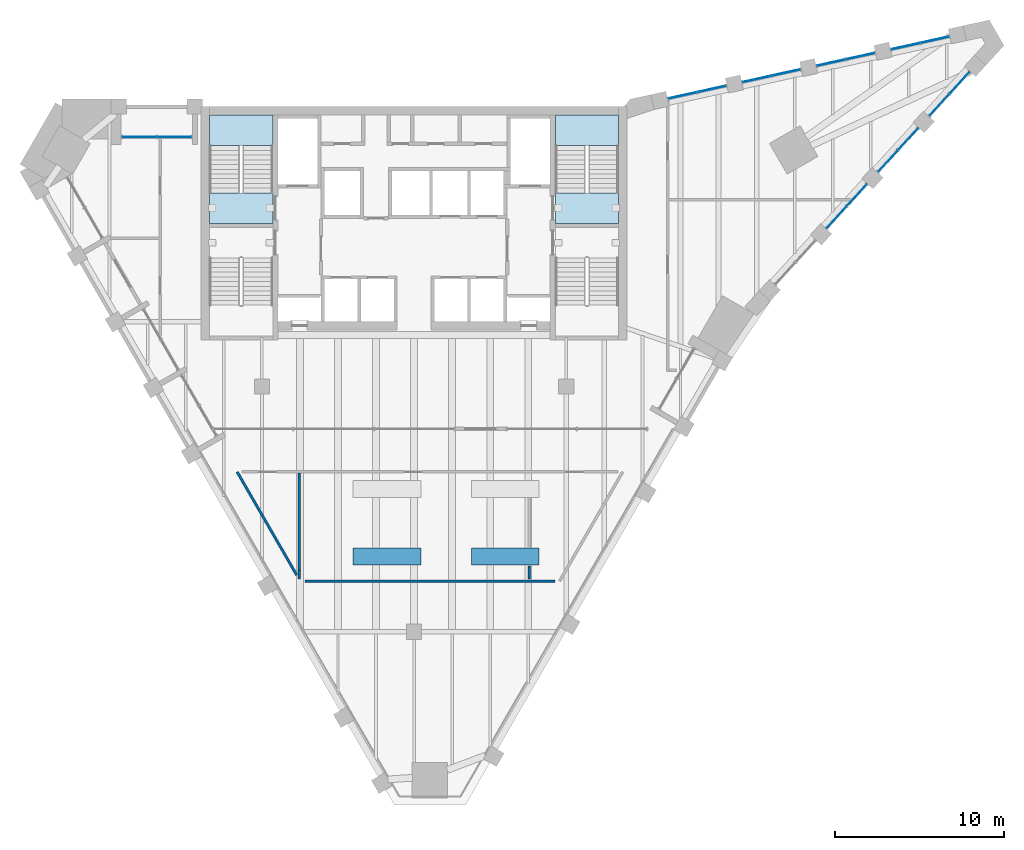
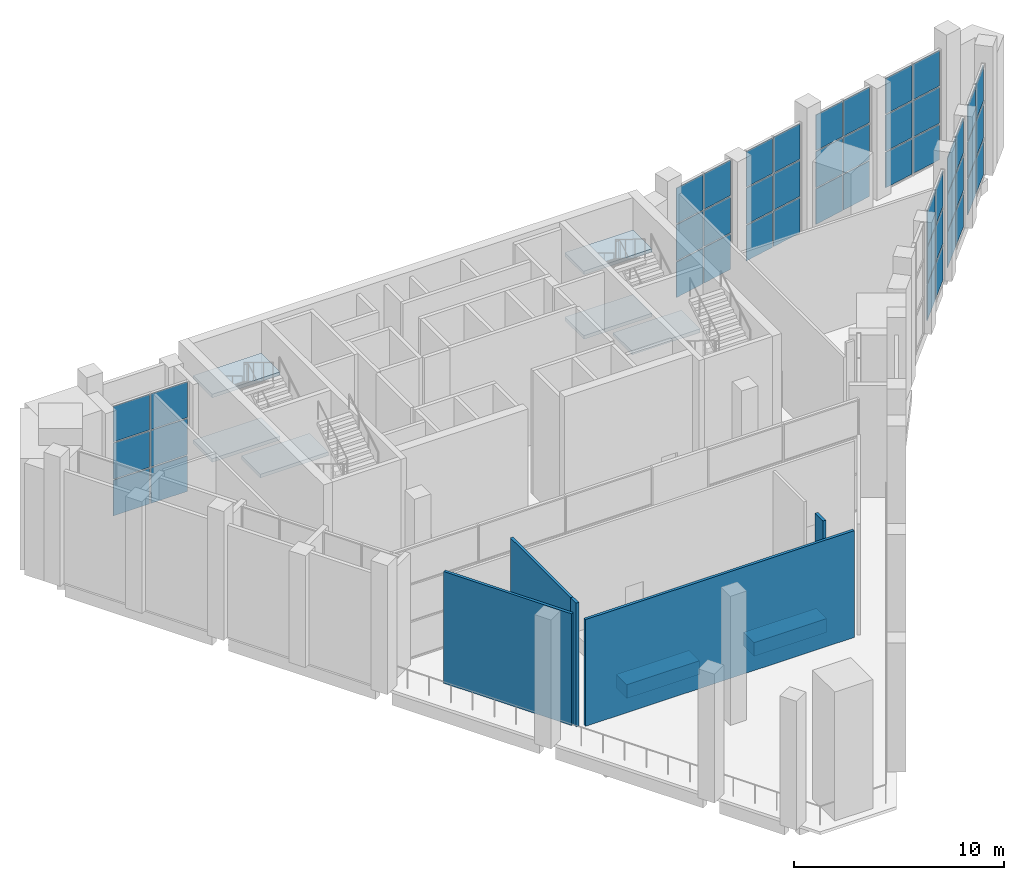
# One storey, part 8 of 14: 48 plates, 7 walls, 6 slabs, 10 elements without a shape of their own.
"""IFC4 building model written with IfcOpenShell, lengths in metres."""

import ifcopenshell
import ifcopenshell.guid

model = None  # the IFC model being written
_history = None  # IfcOwnerHistory: only IFC2X3 demands one
_inside = {}  # id of a spatial element -> (the spatial element, [elements in it])
_under = {}  # id of a project, library or spatial element -> (it, [spatial elements below it])
_declared = {}  # id of a project -> (the project, [libraries it declares])
_typed = {}  # id of a type object -> (the type object, [elements of that type])
_made_of = {}  # id of a material, layer set ... -> (it, [elements and type objects made of it])


def new_model(schema):
    """Start an empty IFC model of exactly this schema.

    Asked for "IFC4X3", IfcOpenShell would pick the latest addendum, in which some entities
    have other attributes; the version numbers below select the first issue.
    IFC2X3 requires an IfcOwnerHistory on every rooted entity: one is made here for all.
    """
    global model, _history
    if schema == "IFC4X3":
        model = ifcopenshell.file(schema_version=(4, 3, 0, 0))
    else:
        model = ifcopenshell.file(schema=schema)
    _inside.clear()
    _under.clear()
    _declared.clear()
    _typed.clear()
    _made_of.clear()
    _history = None
    if model.schema == "IFC2X3":
        org = make("IfcOrganization", Name="unknown")
        user = make(
            "IfcPersonAndOrganization",
            ThePerson=make("IfcPerson", FamilyName="unknown"),
            TheOrganization=org,
        )
        app = make(
            "IfcApplication",
            ApplicationDeveloper=org,
            Version="unknown",
            ApplicationFullName="unknown",
            ApplicationIdentifier="unknown",
        )
        _history = make(
            "IfcOwnerHistory",
            OwningUser=user,
            OwningApplication=app,
            ChangeAction="ADDED",
            CreationDate=0,
        )
    return model


def make(cls, **values):
    """One entity of the class cls with the attributes given. An attribute that is None is left unset."""
    return model.create_entity(
        cls, **{name: value for name, value in values.items() if value is not None}
    )


def rooted(cls, **values):
    """An entity with a GlobalId (a new one), such as an element, a storey or a relation."""
    return make(cls, GlobalId=ifcopenshell.guid.new(), OwnerHistory=_history, **values)


def si_unit(unit_type, name, prefix=None):
    """IfcSIUnit, for example si_unit("LENGTHUNIT", "METRE", prefix="MILLI")."""
    return make("IfcSIUnit", UnitType=unit_type, Prefix=prefix, Name=name)


def assignment(units):
    """IfcUnitAssignment: the units of a project."""
    return None if units is None else make("IfcUnitAssignment", Units=units)


def point(xyz):
    """IfcCartesianPoint."""
    return None if xyz is None else make("IfcCartesianPoint", Coordinates=xyz)


def direction(xyz):
    """IfcDirection."""
    return None if xyz is None else make("IfcDirection", DirectionRatios=xyz)


def frame(location, z_axis=None, x_axis=None):
    """IfcAxis2Placement3D, a coordinate frame: its origin and axes. An axis left out is left unset."""
    return make(
        "IfcAxis2Placement3D",
        Location=point(location),
        Axis=direction(z_axis),
        RefDirection=direction(x_axis),
    )


def frame_2d(location, x_axis=None):
    """IfcAxis2Placement2D, a coordinate frame in the plane: its origin and x axis."""
    return make(
        "IfcAxis2Placement2D", Location=point(location), RefDirection=direction(x_axis)
    )


def origin():
    """The frame at (0, 0, 0) with its axes left unset."""
    return frame((0.0, 0.0, 0.0))


def origin_2d():
    """The frame at (0, 0) in the plane with its x axis left unset."""
    return frame_2d((0.0, 0.0))


def place(relative_to, where):
    """IfcLocalPlacement: puts the frame where relative to a parent placement (None: the world)."""
    return make(
        "IfcLocalPlacement", PlacementRelTo=relative_to, RelativePlacement=where
    )


def context(
    kind, dimensions, precision=None, world=None, true_north=None, identifier=None
):
    """IfcGeometricRepresentationContext, for example the 3D "Model" context."""
    return make(
        "IfcGeometricRepresentationContext",
        ContextIdentifier=identifier,
        ContextType=kind,
        CoordinateSpaceDimension=dimensions,
        Precision=precision,
        WorldCoordinateSystem=world,
        TrueNorth=true_north,
    )


def subcontext(parent, identifier, kind, view, scale=None):
    """IfcGeometricRepresentationSubContext, for example "Body" below "Model"."""
    return make(
        "IfcGeometricRepresentationSubContext",
        ContextIdentifier=identifier,
        ContextType=kind,
        ParentContext=parent,
        TargetScale=scale,
        TargetView=view,
    )


def project(units=None, contexts=None):
    """IfcProject with its units and contexts."""
    return rooted(
        "IfcProject",
        Name="project",
        RepresentationContexts=contexts,
        UnitsInContext=assignment(units),
    )


def spatial(cls, under=None, at=None, **own):
    """A site, building, storey or space (cls), placed at a placement, below another one or the project."""
    s = rooted(cls, ObjectPlacement=at, **own)
    if under is not None:
        _under.setdefault(under.id(), (under, []))[1].append(s)
    return s


def polyline(points):
    """IfcPolyline through the points."""
    return make("IfcPolyline", Points=[point(p) for p in points])


def profile(cls, at=None, kind="AREA", **sizes):
    """A parametric profile (cls). Its sizes go by their IFC names, for example OverallWidth=200.0."""
    return make(cls, ProfileType=kind, Position=at, **sizes)


def rectangle(**sizes):
    """IfcRectangleProfileDef."""
    return profile("IfcRectangleProfileDef", **sizes)


def outline(outer, holes=None, kind="AREA"):
    """IfcArbitraryClosedProfileDef: a profile drawn as a closed curve; with holes, ...WithVoids."""
    if holes is None:
        return make("IfcArbitraryClosedProfileDef", ProfileType=kind, OuterCurve=outer)
    return make(
        "IfcArbitraryProfileDefWithVoids",
        ProfileType=kind,
        OuterCurve=outer,
        InnerCurves=holes,
    )


def extrude(swept, where, along, depth):
    """IfcExtrudedAreaSolid: the profile swept, set in the frame where, extruded along a direction by depth."""
    return make(
        "IfcExtrudedAreaSolid",
        SweptArea=swept,
        Position=where,
        ExtrudedDirection=direction(along),
        Depth=depth,
    )


def shape(context_of_items, identifier, shape_type, items):
    """IfcShapeRepresentation: the items that make up one representation, for example the "Body"."""
    return make(
        "IfcShapeRepresentation",
        ContextOfItems=context_of_items,
        RepresentationIdentifier=identifier,
        RepresentationType=shape_type,
        Items=items,
    )


def material(Name=None, Category=None):
    """IfcMaterial."""
    return make("IfcMaterial", Name=Name, Category=Category)


def layer(
    of_material, thickness, ventilated=None, Name=None, Category=None, Priority=None
):
    """IfcMaterialLayer: one layer of a wall or slab, of a material (None: an air gap)."""
    return make(
        "IfcMaterialLayer",
        Material=of_material,
        LayerThickness=thickness,
        IsVentilated=ventilated,
        Name=Name,
        Category=Category,
        Priority=Priority,
    )


def layer_set(layers, Name=None):
    """IfcMaterialLayerSet."""
    return make("IfcMaterialLayerSet", MaterialLayers=layers, LayerSetName=Name)


def made_of(thing, what):
    """Note that an element or type object is made of a material, layer set ...; save() writes the relation."""
    if what is not None:
        _made_of.setdefault(what.id(), (what, []))[1].append(thing)
    return thing


def type_object(cls, material=None, **own):
    """A type object (cls), such as IfcWallType, which elements share."""
    return made_of(rooted(cls, **own), material)


def element(
    cls,
    number,
    at=None,
    inside=None,
    cuts=None,
    type_object=None,
    material=None,
    context=None,
    identifier="Body",
    shape_type=None,
    held_by="IfcProductDefinitionShape",
    body=None,
    shapes=None,
    **own,
):
    """One element of the class cls, such as IfcWall. Its Tag is "e" and its number.

    at: its placement. inside: the storey or other place that contains it. cuts: it is an
    opening in that element (IfcRelVoidsElement). A single representation is given by context,
    identifier, shape_type and body (its items); several are given by shapes. held_by: the class
    of the entity that holds the representations. save() writes the other relations.
    """
    e = rooted(cls, Tag="e%d" % number, ObjectPlacement=at, **own)
    if body is not None:
        shapes = [shape(context, identifier, shape_type, body)]
    if shapes is not None:
        e.Representation = make(held_by, Representations=shapes)
    if inside is not None:
        _inside.setdefault(inside.id(), (inside, []))[1].append(e)
    if cuts is not None:
        rooted(
            "IfcRelVoidsElement", RelatingBuildingElement=cuts, RelatedOpeningElement=e
        )
    if type_object is not None:
        _typed.setdefault(type_object.id(), (type_object, []))[1].append(e)
    return made_of(e, material)


def aggregate(whole, parts):
    """IfcRelAggregates: a whole, such as a stair, and the parts it consists of."""
    return rooted("IfcRelAggregates", RelatingObject=whole, RelatedObjects=parts)


def save(model, path):
    """Write the relations noted so far, then the file.

    IfcRelAggregates (storeys below a building ...), IfcRelContainedInSpatialStructure (elements
    in a storey), IfcRelDefinesByType, IfcRelAssociatesMaterial and IfcRelDeclares: one each for
    every whole, place, type object, material and project.
    """
    for whole, parts in _under.values():
        aggregate(whole, parts)
    for where, things in _inside.values():
        rooted(
            "IfcRelContainedInSpatialStructure",
            RelatedElements=things,
            RelatingStructure=where,
        )
    for kind, things in _typed.values():
        rooted("IfcRelDefinesByType", RelatedObjects=things, RelatingType=kind)
    for what, things in _made_of.values():
        rooted("IfcRelAssociatesMaterial", RelatedObjects=things, RelatingMaterial=what)
    for by, libraries in _declared.values():
        rooted("IfcRelDeclares", RelatingContext=by, RelatedDefinitions=libraries)
    model.write(path)


model = new_model("IFC4")

# Units and contexts
model_context = context("Model", 3, precision=1e-05, world=origin(), true_north=direction((0.0, 1.0)))
body_context = subcontext(model_context, "Body", "Model", "MODEL_VIEW")
ifc_project = project(units=[si_unit("LENGTHUNIT", "METRE"), si_unit("AREAUNIT", "SQUARE_METRE"), si_unit("VOLUMEUNIT", "CUBIC_METRE"), si_unit("PLANEANGLEUNIT", "RADIAN"), si_unit("MASSUNIT", "GRAM", prefix="KILO")], contexts=[model_context])

# Site, building, storey
site_placement = place(None, origin())
site = spatial("IfcSite", under=ifc_project, at=site_placement, CompositionType="ELEMENT")
building_placement = place(site_placement, origin())
building = spatial("IfcBuilding", under=site, at=building_placement, Name="Calabash Gate Tower", CompositionType="ELEMENT")
storey_placement = place(building_placement, frame((0.0, 0.0, 295.0)))
storey = spatial("IfcBuildingStorey", under=building, at=storey_placement, Name="L71", CompositionType="ELEMENT", Elevation=295.0)

# Curtain wall, plates
ifc_material_1 = material(Name="Anodised aluminium frame, bronze finish, clear laminated low-emissivity glazing", Category="aluminium")
curtain_wall_type_1 = type_object("IfcCurtainWallType", Name="Curtain wall CWS sky lobby wall", PredefinedType="NOTDEFINED", material=ifc_material_1)
curtain_wall_1_placement = place(storey_placement, origin())
curtain_wall_1 = element("IfcCurtainWall", 1, at=curtain_wall_1_placement, inside=storey, type_object=curtain_wall_type_1, Name="Curtain wall CWS L71 N6.6", PredefinedType="NOTDEFINED")
ifc_material_2 = material(Name="Clear laminated low-emissivity glazing", Category="glass")
ifc_layer_1 = layer(ifc_material_2, 0.035888671875)
ifc_layer_set_1 = layer_set([ifc_layer_1], Name="Glass panel CWS 36")
plate_type_1 = type_object("IfcPlateType", Name="Glass panel CWS 36", PredefinedType="CURTAIN_PANEL", material=ifc_layer_set_1)
plate_1_placement = place(storey_placement, frame((-14.181884765625, 17.25244140625, 0.06494140625), z_axis=(0.0, 0.0, 1.0), x_axis=(-1.0, 0.0, 0.0)))
plate_1 = element("IfcPlate", 2, at=plate_1_placement, type_object=plate_type_1, Name="CWS panel 1.1", PredefinedType="CURTAIN_PANEL", context=body_context, shape_type="SweptSolid", body=[
    extrude(rectangle(XDim=2.00244140625, YDim=0.035888671875, at=origin_2d()), origin(), (0.0, 0.0, 1.0), 2.069091796875),
])
plate_2_placement = place(storey_placement, frame((-14.181884765625, 17.25244140625, 2.19921875), z_axis=(0.0, 0.0, 1.0), x_axis=(-1.0, 0.0, 0.0)))
plate_2 = element("IfcPlate", 3, at=plate_2_placement, type_object=plate_type_1, Name="CWS panel 1.2", PredefinedType="CURTAIN_PANEL", context=body_context, shape_type="SweptSolid", body=[
    extrude(rectangle(XDim=2.00244140625, YDim=0.035888671875, at=origin_2d()), origin(), (0.0, 0.0, 1.0), 2.1015625),
])
plate_3_placement = place(storey_placement, frame((-14.181884765625, 17.25244140625, 4.36572265625), z_axis=(0.0, 0.0, 1.0), x_axis=(-1.0, 0.0, 0.0)))
plate_3 = element("IfcPlate", 4, at=plate_3_placement, type_object=plate_type_1, Name="CWS panel 1.3", PredefinedType="CURTAIN_PANEL", context=body_context, shape_type="SweptSolid", body=[
    extrude(rectangle(XDim=2.00244140625, YDim=0.035888671875, at=origin_2d()), origin(), (0.0, 0.0, 1.0), 2.069091796875),
])
plate_4_placement = place(storey_placement, frame((-16.24951171875, 17.25244140625, 0.06494140625), z_axis=(0.0, 0.0, 1.0), x_axis=(-1.0, 0.0, 0.0)))
plate_4 = element("IfcPlate", 5, at=plate_4_placement, type_object=plate_type_1, Name="CWS panel 2.1", PredefinedType="CURTAIN_PANEL", context=body_context, shape_type="SweptSolid", body=[
    extrude(rectangle(XDim=2.00244140625, YDim=0.035888671875, at=origin_2d()), origin(), (0.0, 0.0, 1.0), 2.069091796875),
])
plate_5_placement = place(storey_placement, frame((-16.24951171875, 17.25244140625, 2.19921875), z_axis=(0.0, 0.0, 1.0), x_axis=(-1.0, 0.0, 0.0)))
plate_5 = element("IfcPlate", 6, at=plate_5_placement, type_object=plate_type_1, Name="CWS panel 2.2", PredefinedType="CURTAIN_PANEL", context=body_context, shape_type="SweptSolid", body=[
    extrude(rectangle(XDim=2.00244140625, YDim=0.035888671875, at=origin_2d()), origin(), (0.0, 0.0, 1.0), 2.1015625),
])
plate_6_placement = place(storey_placement, frame((-16.24951171875, 17.25244140625, 4.36572265625), z_axis=(0.0, 0.0, 1.0), x_axis=(-1.0, 0.0, 0.0)))
plate_6 = element("IfcPlate", 7, at=plate_6_placement, type_object=plate_type_1, Name="CWS panel 2.3", PredefinedType="CURTAIN_PANEL", context=body_context, shape_type="SweptSolid", body=[
    extrude(rectangle(XDim=2.00244140625, YDim=0.035888671875, at=origin_2d()), origin(), (0.0, 0.0, 1.0), 2.069091796875),
])
aggregate(curtain_wall_1, [plate_1, plate_2, plate_3, plate_4, plate_5, plate_6])

ifc_material_3 = material(Name="Anodised aluminium frame, bronze finish, clear laminated impact-rated glazing", Category="aluminium")
curtain_wall_type_2 = type_object("IfcCurtainWallType", Name="Curtain wall CWW wedge prow wall", PredefinedType="NOTDEFINED", material=ifc_material_3)
curtain_wall_2_placement = place(storey_placement, origin())
curtain_wall_2 = element("IfcCurtainWall", 8, at=curtain_wall_2_placement, inside=storey, type_object=curtain_wall_type_2, Name="Curtain wall CWW L71 wedge3.2", PredefinedType="NOTDEFINED")
ifc_material_4 = material(Name="Clear laminated impact-rated glazing", Category="glass")
ifc_layer_2 = layer(ifc_material_4, 0.0400390625)
ifc_layer_set_2 = layer_set([ifc_layer_2], Name="Glass panel CWW 40")
plate_type_2 = type_object("IfcPlateType", Name="Glass panel CWW 40", PredefinedType="CURTAIN_PANEL", material=ifc_layer_set_2)
plate_7_placement = place(storey_placement, frame((24.990234375, 12.5146484375, 0.06982421875), z_axis=(0.0, 0.0, 1.0), x_axis=(0.674856059397, 0.737949387896, 0.0)))
plate_7 = element("IfcPlate", 9, at=plate_7_placement, type_object=plate_type_2, Name="CWW panel 1.1", PredefinedType="CURTAIN_PANEL", context=body_context, shape_type="SweptSolid", body=[
    extrude(rectangle(XDim=1.695068359375, YDim=0.0400390625, at=origin_2d()), origin(), (0.0, 0.0, 1.0), 2.061767578125),
])
plate_8_placement = place(storey_placement, frame((24.990234375, 12.5146484375, 2.20166015625), z_axis=(0.0, 0.0, 1.0), x_axis=(0.674856059397, 0.737949387896, 0.0)))
plate_8 = element("IfcPlate", 10, at=plate_8_placement, type_object=plate_type_2, Name="CWW panel 1.2", PredefinedType="CURTAIN_PANEL", context=body_context, shape_type="SweptSolid", body=[
    extrude(rectangle(XDim=1.695068359375, YDim=0.0400390625, at=origin_2d()), origin(), (0.0, 0.0, 1.0), 2.0966796875),
])
plate_9_placement = place(storey_placement, frame((24.990234375, 12.5146484375, 4.3681640625), z_axis=(0.0, 0.0, 1.0), x_axis=(0.674856059397, 0.737949387896, 0.0)))
plate_9 = element("IfcPlate", 11, at=plate_9_placement, type_object=plate_type_2, Name="CWW panel 1.3", PredefinedType="CURTAIN_PANEL", context=body_context, shape_type="SweptSolid", body=[
    extrude(rectangle(XDim=1.695068359375, YDim=0.0400390625, at=origin_2d()), origin(), (0.0, 0.0, 1.0), 2.061767578125),
])
plate_10_placement = place(storey_placement, frame((26.181396484375, 13.817138671875, 0.06982421875), z_axis=(0.0, 0.0, 1.0), x_axis=(0.674856059397, 0.737949387896, 0.0)))
plate_10 = element("IfcPlate", 12, at=plate_10_placement, type_object=plate_type_2, Name="CWW panel 2.1", PredefinedType="CURTAIN_PANEL", context=body_context, shape_type="SweptSolid", body=[
    extrude(rectangle(XDim=1.695068359375, YDim=0.0400390625, at=origin_2d()), origin(), (0.0, 0.0, 1.0), 2.061767578125),
])
plate_11_placement = place(storey_placement, frame((26.181396484375, 13.817138671875, 2.20166015625), z_axis=(0.0, 0.0, 1.0), x_axis=(0.674856059397, 0.737949387896, 0.0)))
plate_11 = element("IfcPlate", 13, at=plate_11_placement, type_object=plate_type_2, Name="CWW panel 2.2", PredefinedType="CURTAIN_PANEL", context=body_context, shape_type="SweptSolid", body=[
    extrude(rectangle(XDim=1.695068359375, YDim=0.0400390625, at=origin_2d()), origin(), (0.0, 0.0, 1.0), 2.0966796875),
])
plate_12_placement = place(storey_placement, frame((26.181396484375, 13.817138671875, 4.3681640625), z_axis=(0.0, 0.0, 1.0), x_axis=(0.674856059397, 0.737949387896, 0.0)))
plate_12 = element("IfcPlate", 14, at=plate_12_placement, type_object=plate_type_2, Name="CWW panel 2.3", PredefinedType="CURTAIN_PANEL", context=body_context, shape_type="SweptSolid", body=[
    extrude(rectangle(XDim=1.695068359375, YDim=0.0400390625, at=origin_2d()), origin(), (0.0, 0.0, 1.0), 2.061767578125),
])
aggregate(curtain_wall_2, [plate_7, plate_8, plate_9, plate_10, plate_11, plate_12])

curtain_wall_3_placement = place(storey_placement, origin())
curtain_wall_3 = element("IfcCurtainWall", 15, at=curtain_wall_3_placement, inside=storey, type_object=curtain_wall_type_2, Name="Curtain wall CWW L71 wedge3.3", PredefinedType="NOTDEFINED")
plate_13_placement = place(storey_placement, frame((28.027099609375, 15.83544921875, 0.06982421875), z_axis=(0.0, 0.0, 1.0), x_axis=(0.674856059397, 0.737949387896, 0.0)))
plate_13 = element("IfcPlate", 16, at=plate_13_placement, type_object=plate_type_2, Name="CWW panel 1.1", PredefinedType="CURTAIN_PANEL", context=body_context, shape_type="SweptSolid", body=[
    extrude(rectangle(XDim=1.695068359375, YDim=0.0400390625, at=origin_2d()), origin(), (0.0, 0.0, 1.0), 2.061767578125),
])
plate_14_placement = place(storey_placement, frame((28.027099609375, 15.83544921875, 2.20166015625), z_axis=(0.0, 0.0, 1.0), x_axis=(0.674856059397, 0.737949387896, 0.0)))
plate_14 = element("IfcPlate", 17, at=plate_14_placement, type_object=plate_type_2, Name="CWW panel 1.2", PredefinedType="CURTAIN_PANEL", context=body_context, shape_type="SweptSolid", body=[
    extrude(rectangle(XDim=1.695068359375, YDim=0.0400390625, at=origin_2d()), origin(), (0.0, 0.0, 1.0), 2.0966796875),
])
plate_15_placement = place(storey_placement, frame((28.027099609375, 15.83544921875, 4.3681640625), z_axis=(0.0, 0.0, 1.0), x_axis=(0.674856059397, 0.737949387896, 0.0)))
plate_15 = element("IfcPlate", 18, at=plate_15_placement, type_object=plate_type_2, Name="CWW panel 1.3", PredefinedType="CURTAIN_PANEL", context=body_context, shape_type="SweptSolid", body=[
    extrude(rectangle(XDim=1.695068359375, YDim=0.0400390625, at=origin_2d()), origin(), (0.0, 0.0, 1.0), 2.061767578125),
])
plate_16_placement = place(storey_placement, frame((29.21826171875, 17.137939453125, 0.06982421875), z_axis=(0.0, 0.0, 1.0), x_axis=(0.674856059397, 0.737949387896, 0.0)))
plate_16 = element("IfcPlate", 19, at=plate_16_placement, type_object=plate_type_2, Name="CWW panel 2.1", PredefinedType="CURTAIN_PANEL", context=body_context, shape_type="SweptSolid", body=[
    extrude(rectangle(XDim=1.695068359375, YDim=0.0400390625, at=origin_2d()), origin(), (0.0, 0.0, 1.0), 2.061767578125),
])
plate_17_placement = place(storey_placement, frame((29.21826171875, 17.137939453125, 2.20166015625), z_axis=(0.0, 0.0, 1.0), x_axis=(0.674856059397, 0.737949387896, 0.0)))
plate_17 = element("IfcPlate", 20, at=plate_17_placement, type_object=plate_type_2, Name="CWW panel 2.2", PredefinedType="CURTAIN_PANEL", context=body_context, shape_type="SweptSolid", body=[
    extrude(rectangle(XDim=1.695068359375, YDim=0.0400390625, at=origin_2d()), origin(), (0.0, 0.0, 1.0), 2.0966796875),
])
plate_18_placement = place(storey_placement, frame((29.21826171875, 17.137939453125, 4.3681640625), z_axis=(0.0, 0.0, 1.0), x_axis=(0.674856059397, 0.737949387896, 0.0)))
plate_18 = element("IfcPlate", 21, at=plate_18_placement, type_object=plate_type_2, Name="CWW panel 2.3", PredefinedType="CURTAIN_PANEL", context=body_context, shape_type="SweptSolid", body=[
    extrude(rectangle(XDim=1.695068359375, YDim=0.0400390625, at=origin_2d()), origin(), (0.0, 0.0, 1.0), 2.061767578125),
])
aggregate(curtain_wall_3, [plate_13, plate_14, plate_15, plate_16, plate_17, plate_18])

curtain_wall_4_placement = place(storey_placement, origin())
curtain_wall_4 = element("IfcCurtainWall", 22, at=curtain_wall_4_placement, inside=storey, type_object=curtain_wall_type_2, Name="Curtain wall CWW L71 wedge3.4", PredefinedType="NOTDEFINED")
plate_19_placement = place(storey_placement, frame((31.06396484375, 19.15625, 0.06982421875), z_axis=(0.0, 0.0, 1.0), x_axis=(0.674856059397, 0.737949387896, 0.0)))
plate_19 = element("IfcPlate", 23, at=plate_19_placement, type_object=plate_type_2, Name="CWW panel 1.1", PredefinedType="CURTAIN_PANEL", context=body_context, shape_type="SweptSolid", body=[
    extrude(rectangle(XDim=1.695068359375, YDim=0.0400390625, at=origin_2d()), origin(), (0.0, 0.0, 1.0), 2.061767578125),
])
plate_20_placement = place(storey_placement, frame((31.06396484375, 19.15625, 2.20166015625), z_axis=(0.0, 0.0, 1.0), x_axis=(0.674856059397, 0.737949387896, 0.0)))
plate_20 = element("IfcPlate", 24, at=plate_20_placement, type_object=plate_type_2, Name="CWW panel 1.2", PredefinedType="CURTAIN_PANEL", context=body_context, shape_type="SweptSolid", body=[
    extrude(rectangle(XDim=1.695068359375, YDim=0.0400390625, at=origin_2d()), origin(), (0.0, 0.0, 1.0), 2.0966796875),
])
plate_21_placement = place(storey_placement, frame((31.06396484375, 19.15625, 4.3681640625), z_axis=(0.0, 0.0, 1.0), x_axis=(0.674856059397, 0.737949387896, 0.0)))
plate_21 = element("IfcPlate", 25, at=plate_21_placement, type_object=plate_type_2, Name="CWW panel 1.3", PredefinedType="CURTAIN_PANEL", context=body_context, shape_type="SweptSolid", body=[
    extrude(rectangle(XDim=1.695068359375, YDim=0.0400390625, at=origin_2d()), origin(), (0.0, 0.0, 1.0), 2.061767578125),
])
plate_22_placement = place(storey_placement, frame((32.255126953125, 20.458740234375, 0.06982421875), z_axis=(0.0, 0.0, 1.0), x_axis=(0.674856059397, 0.737949387896, 0.0)))
plate_22 = element("IfcPlate", 26, at=plate_22_placement, type_object=plate_type_2, Name="CWW panel 2.1", PredefinedType="CURTAIN_PANEL", context=body_context, shape_type="SweptSolid", body=[
    extrude(rectangle(XDim=1.695068359375, YDim=0.0400390625, at=origin_2d()), origin(), (0.0, 0.0, 1.0), 2.061767578125),
])
plate_23_placement = place(storey_placement, frame((32.255126953125, 20.458740234375, 2.20166015625), z_axis=(0.0, 0.0, 1.0), x_axis=(0.674856059397, 0.737949387896, 0.0)))
plate_23 = element("IfcPlate", 27, at=plate_23_placement, type_object=plate_type_2, Name="CWW panel 2.2", PredefinedType="CURTAIN_PANEL", context=body_context, shape_type="SweptSolid", body=[
    extrude(rectangle(XDim=1.695068359375, YDim=0.0400390625, at=origin_2d()), origin(), (0.0, 0.0, 1.0), 2.0966796875),
])
plate_24_placement = place(storey_placement, frame((32.255126953125, 20.458740234375, 4.3681640625), z_axis=(0.0, 0.0, 1.0), x_axis=(0.674856059397, 0.737949387896, 0.0)))
plate_24 = element("IfcPlate", 28, at=plate_24_placement, type_object=plate_type_2, Name="CWW panel 2.3", PredefinedType="CURTAIN_PANEL", context=body_context, shape_type="SweptSolid", body=[
    extrude(rectangle(XDim=1.695068359375, YDim=0.0400390625, at=origin_2d()), origin(), (0.0, 0.0, 1.0), 2.061767578125),
])
aggregate(curtain_wall_4, [plate_19, plate_20, plate_21, plate_22, plate_23, plate_24])

curtain_wall_5_placement = place(storey_placement, origin())
curtain_wall_5 = element("IfcCurtainWall", 29, at=curtain_wall_5_placement, inside=storey, type_object=curtain_wall_type_2, Name="Curtain wall CWW L71 wedge5.1", PredefinedType="NOTDEFINED")
plate_25_placement = place(storey_placement, frame((30.785888671875, 23.003173828125, 0.06982421875), z_axis=(0.0, 0.0, 1.0), x_axis=(-0.976510945203, -0.215467802466, 0.0)))
plate_25 = element("IfcPlate", 30, at=plate_25_placement, type_object=plate_type_2, Name="CWW panel 1.1", PredefinedType="CURTAIN_PANEL", context=body_context, shape_type="SweptSolid", body=[
    extrude(rectangle(XDim=1.695068359375, YDim=0.0400390625, at=origin_2d()), origin(), (0.0, 0.0, 1.0), 2.061767578125),
])
plate_26_placement = place(storey_placement, frame((30.785888671875, 23.003173828125, 2.20166015625), z_axis=(0.0, 0.0, 1.0), x_axis=(-0.976510945203, -0.215467802466, 0.0)))
plate_26 = element("IfcPlate", 31, at=plate_26_placement, type_object=plate_type_2, Name="CWW panel 1.2", PredefinedType="CURTAIN_PANEL", context=body_context, shape_type="SweptSolid", body=[
    extrude(rectangle(XDim=1.695068359375, YDim=0.0400390625, at=origin_2d()), origin(), (0.0, 0.0, 1.0), 2.0966796875),
])
plate_27_placement = place(storey_placement, frame((30.785888671875, 23.003173828125, 4.3681640625), z_axis=(0.0, 0.0, 1.0), x_axis=(-0.976510945203, -0.215467802466, 0.0)))
plate_27 = element("IfcPlate", 32, at=plate_27_placement, type_object=plate_type_2, Name="CWW panel 1.3", PredefinedType="CURTAIN_PANEL", context=body_context, shape_type="SweptSolid", body=[
    extrude(rectangle(XDim=1.695068359375, YDim=0.0400390625, at=origin_2d()), origin(), (0.0, 0.0, 1.0), 2.061767578125),
])
plate_28_placement = place(storey_placement, frame((29.0625, 22.622802734375, 0.06982421875), z_axis=(0.0, 0.0, 1.0), x_axis=(-0.976510945203, -0.215467802466, 0.0)))
plate_28 = element("IfcPlate", 33, at=plate_28_placement, type_object=plate_type_2, Name="CWW panel 2.1", PredefinedType="CURTAIN_PANEL", context=body_context, shape_type="SweptSolid", body=[
    extrude(rectangle(XDim=1.695068359375, YDim=0.0400390625, at=origin_2d()), origin(), (0.0, 0.0, 1.0), 2.061767578125),
])
plate_29_placement = place(storey_placement, frame((29.0625, 22.622802734375, 2.20166015625), z_axis=(0.0, 0.0, 1.0), x_axis=(-0.976510945203, -0.215467802466, 0.0)))
plate_29 = element("IfcPlate", 34, at=plate_29_placement, type_object=plate_type_2, Name="CWW panel 2.2", PredefinedType="CURTAIN_PANEL", context=body_context, shape_type="SweptSolid", body=[
    extrude(rectangle(XDim=1.695068359375, YDim=0.0400390625, at=origin_2d()), origin(), (0.0, 0.0, 1.0), 2.0966796875),
])
plate_30_placement = place(storey_placement, frame((29.0625, 22.622802734375, 4.3681640625), z_axis=(0.0, 0.0, 1.0), x_axis=(-0.976510945203, -0.215467802466, 0.0)))
plate_30 = element("IfcPlate", 35, at=plate_30_placement, type_object=plate_type_2, Name="CWW panel 2.3", PredefinedType="CURTAIN_PANEL", context=body_context, shape_type="SweptSolid", body=[
    extrude(rectangle(XDim=1.695068359375, YDim=0.0400390625, at=origin_2d()), origin(), (0.0, 0.0, 1.0), 2.061767578125),
])
aggregate(curtain_wall_5, [plate_25, plate_26, plate_27, plate_28, plate_29, plate_30])

curtain_wall_6_placement = place(storey_placement, origin())
curtain_wall_6 = element("IfcCurtainWall", 36, at=curtain_wall_6_placement, inside=storey, type_object=curtain_wall_type_2, Name="Curtain wall CWW L71 wedge5.2", PredefinedType="NOTDEFINED")
plate_31_placement = place(storey_placement, frame((26.3916015625, 22.03369140625, 0.06982421875), z_axis=(0.0, 0.0, 1.0), x_axis=(-0.976510958101, -0.215467744008, 0.0)))
plate_31 = element("IfcPlate", 37, at=plate_31_placement, type_object=plate_type_2, Name="CWW panel 1.1", PredefinedType="CURTAIN_PANEL", context=body_context, shape_type="SweptSolid", body=[
    extrude(rectangle(XDim=1.695068359375, YDim=0.0400390625, at=origin_2d()), origin(), (0.0, 0.0, 1.0), 2.061767578125),
])
plate_32_placement = place(storey_placement, frame((26.3916015625, 22.03369140625, 2.20166015625), z_axis=(0.0, 0.0, 1.0), x_axis=(-0.976510958101, -0.215467744008, 0.0)))
plate_32 = element("IfcPlate", 38, at=plate_32_placement, type_object=plate_type_2, Name="CWW panel 1.2", PredefinedType="CURTAIN_PANEL", context=body_context, shape_type="SweptSolid", body=[
    extrude(rectangle(XDim=1.695068359375, YDim=0.0400390625, at=origin_2d()), origin(), (0.0, 0.0, 1.0), 2.0966796875),
])
plate_33_placement = place(storey_placement, frame((26.3916015625, 22.03369140625, 4.3681640625), z_axis=(0.0, 0.0, 1.0), x_axis=(-0.976510958101, -0.215467744008, 0.0)))
plate_33 = element("IfcPlate", 39, at=plate_33_placement, type_object=plate_type_2, Name="CWW panel 1.3", PredefinedType="CURTAIN_PANEL", context=body_context, shape_type="SweptSolid", body=[
    extrude(rectangle(XDim=1.695068359375, YDim=0.0400390625, at=origin_2d()), origin(), (0.0, 0.0, 1.0), 2.061767578125),
])
plate_34_placement = place(storey_placement, frame((24.668212890625, 21.6533203125, 0.06982421875), z_axis=(0.0, 0.0, 1.0), x_axis=(-0.976510958101, -0.215467744008, 0.0)))
plate_34 = element("IfcPlate", 40, at=plate_34_placement, type_object=plate_type_2, Name="CWW panel 2.1", PredefinedType="CURTAIN_PANEL", context=body_context, shape_type="SweptSolid", body=[
    extrude(rectangle(XDim=1.695068359375, YDim=0.0400390625, at=origin_2d()), origin(), (0.0, 0.0, 1.0), 2.061767578125),
])
plate_35_placement = place(storey_placement, frame((24.668212890625, 21.6533203125, 2.20166015625), z_axis=(0.0, 0.0, 1.0), x_axis=(-0.976510958101, -0.215467744008, 0.0)))
plate_35 = element("IfcPlate", 41, at=plate_35_placement, type_object=plate_type_2, Name="CWW panel 2.2", PredefinedType="CURTAIN_PANEL", context=body_context, shape_type="SweptSolid", body=[
    extrude(rectangle(XDim=1.695068359375, YDim=0.0400390625, at=origin_2d()), origin(), (0.0, 0.0, 1.0), 2.0966796875),
])
plate_36_placement = place(storey_placement, frame((24.668212890625, 21.6533203125, 4.3681640625), z_axis=(0.0, 0.0, 1.0), x_axis=(-0.976510958101, -0.215467744008, 0.0)))
plate_36 = element("IfcPlate", 42, at=plate_36_placement, type_object=plate_type_2, Name="CWW panel 2.3", PredefinedType="CURTAIN_PANEL", context=body_context, shape_type="SweptSolid", body=[
    extrude(rectangle(XDim=1.695068359375, YDim=0.0400390625, at=origin_2d()), origin(), (0.0, 0.0, 1.0), 2.061767578125),
])
aggregate(curtain_wall_6, [plate_31, plate_32, plate_33, plate_34, plate_35, plate_36])

curtain_wall_7_placement = place(storey_placement, origin())
curtain_wall_7 = element("IfcCurtainWall", 43, at=curtain_wall_7_placement, inside=storey, type_object=curtain_wall_type_2, Name="Curtain wall CWW L71 wedge5.3", PredefinedType="NOTDEFINED")
plate_37_placement = place(storey_placement, frame((21.997314453125, 21.06396484375, 0.06982421875), z_axis=(0.0, 0.0, 1.0), x_axis=(-0.976510945203, -0.215467802466, 0.0)))
plate_37 = element("IfcPlate", 44, at=plate_37_placement, type_object=plate_type_2, Name="CWW panel 1.1", PredefinedType="CURTAIN_PANEL", context=body_context, shape_type="SweptSolid", body=[
    extrude(rectangle(XDim=1.695068359375, YDim=0.0400390625, at=origin_2d()), origin(), (0.0, 0.0, 1.0), 2.061767578125),
])
plate_38_placement = place(storey_placement, frame((21.997314453125, 21.06396484375, 2.20166015625), z_axis=(0.0, 0.0, 1.0), x_axis=(-0.976510945203, -0.215467802466, 0.0)))
plate_38 = element("IfcPlate", 45, at=plate_38_placement, type_object=plate_type_2, Name="CWW panel 1.2", PredefinedType="CURTAIN_PANEL", context=body_context, shape_type="SweptSolid", body=[
    extrude(rectangle(XDim=1.695068359375, YDim=0.0400390625, at=origin_2d()), origin(), (0.0, 0.0, 1.0), 2.0966796875),
])
plate_39_placement = place(storey_placement, frame((21.997314453125, 21.06396484375, 4.3681640625), z_axis=(0.0, 0.0, 1.0), x_axis=(-0.976510945203, -0.215467802466, 0.0)))
plate_39 = element("IfcPlate", 46, at=plate_39_placement, type_object=plate_type_2, Name="CWW panel 1.3", PredefinedType="CURTAIN_PANEL", context=body_context, shape_type="SweptSolid", body=[
    extrude(rectangle(XDim=1.695068359375, YDim=0.0400390625, at=origin_2d()), origin(), (0.0, 0.0, 1.0), 2.061767578125),
])
plate_40_placement = place(storey_placement, frame((20.27392578125, 20.68359375, 0.06982421875), z_axis=(0.0, 0.0, 1.0), x_axis=(-0.976510945203, -0.215467802466, 0.0)))
plate_40 = element("IfcPlate", 47, at=plate_40_placement, type_object=plate_type_2, Name="CWW panel 2.1", PredefinedType="CURTAIN_PANEL", context=body_context, shape_type="SweptSolid", body=[
    extrude(rectangle(XDim=1.695068359375, YDim=0.0400390625, at=origin_2d()), origin(), (0.0, 0.0, 1.0), 2.061767578125),
])
plate_41_placement = place(storey_placement, frame((20.27392578125, 20.68359375, 2.20166015625), z_axis=(0.0, 0.0, 1.0), x_axis=(-0.976510945203, -0.215467802466, 0.0)))
plate_41 = element("IfcPlate", 48, at=plate_41_placement, type_object=plate_type_2, Name="CWW panel 2.2", PredefinedType="CURTAIN_PANEL", context=body_context, shape_type="SweptSolid", body=[
    extrude(rectangle(XDim=1.695068359375, YDim=0.0400390625, at=origin_2d()), origin(), (0.0, 0.0, 1.0), 2.0966796875),
])
plate_42_placement = place(storey_placement, frame((20.27392578125, 20.68359375, 4.3681640625), z_axis=(0.0, 0.0, 1.0), x_axis=(-0.976510945203, -0.215467802466, 0.0)))
plate_42 = element("IfcPlate", 49, at=plate_42_placement, type_object=plate_type_2, Name="CWW panel 2.3", PredefinedType="CURTAIN_PANEL", context=body_context, shape_type="SweptSolid", body=[
    extrude(rectangle(XDim=1.695068359375, YDim=0.0400390625, at=origin_2d()), origin(), (0.0, 0.0, 1.0), 2.061767578125),
])
aggregate(curtain_wall_7, [plate_37, plate_38, plate_39, plate_40, plate_41, plate_42])

curtain_wall_8_placement = place(storey_placement, origin())
curtain_wall_8 = element("IfcCurtainWall", 50, at=curtain_wall_8_placement, inside=storey, type_object=curtain_wall_type_2, Name="Curtain wall CWW L71 wedge5.4", PredefinedType="NOTDEFINED")
plate_43_placement = place(storey_placement, frame((17.60302734375, 20.094482421875, 0.06982421875), z_axis=(0.0, 0.0, 1.0), x_axis=(-0.976510945203, -0.215467802466, 0.0)))
plate_43 = element("IfcPlate", 51, at=plate_43_placement, type_object=plate_type_2, Name="CWW panel 1.1", PredefinedType="CURTAIN_PANEL", context=body_context, shape_type="SweptSolid", body=[
    extrude(rectangle(XDim=1.695068359375, YDim=0.0400390625, at=origin_2d()), origin(), (0.0, 0.0, 1.0), 2.061767578125),
])
plate_44_placement = place(storey_placement, frame((17.60302734375, 20.094482421875, 2.20166015625), z_axis=(0.0, 0.0, 1.0), x_axis=(-0.976510945203, -0.215467802466, 0.0)))
plate_44 = element("IfcPlate", 52, at=plate_44_placement, type_object=plate_type_2, Name="CWW panel 1.2", PredefinedType="CURTAIN_PANEL", context=body_context, shape_type="SweptSolid", body=[
    extrude(rectangle(XDim=1.695068359375, YDim=0.0400390625, at=origin_2d()), origin(), (0.0, 0.0, 1.0), 2.0966796875),
])
plate_45_placement = place(storey_placement, frame((17.60302734375, 20.094482421875, 4.3681640625), z_axis=(0.0, 0.0, 1.0), x_axis=(-0.976510945203, -0.215467802466, 0.0)))
plate_45 = element("IfcPlate", 53, at=plate_45_placement, type_object=plate_type_2, Name="CWW panel 1.3", PredefinedType="CURTAIN_PANEL", context=body_context, shape_type="SweptSolid", body=[
    extrude(rectangle(XDim=1.695068359375, YDim=0.0400390625, at=origin_2d()), origin(), (0.0, 0.0, 1.0), 2.061767578125),
])
plate_46_placement = place(storey_placement, frame((15.87939453125, 19.714111328125, 0.06982421875), z_axis=(0.0, 0.0, 1.0), x_axis=(-0.976510945203, -0.215467802466, 0.0)))
plate_46 = element("IfcPlate", 54, at=plate_46_placement, type_object=plate_type_2, Name="CWW panel 2.1", PredefinedType="CURTAIN_PANEL", context=body_context, shape_type="SweptSolid", body=[
    extrude(rectangle(XDim=1.695068359375, YDim=0.0400390625, at=origin_2d()), origin(), (0.0, 0.0, 1.0), 2.061767578125),
])
plate_47_placement = place(storey_placement, frame((15.87939453125, 19.714111328125, 2.20166015625), z_axis=(0.0, 0.0, 1.0), x_axis=(-0.976510945203, -0.215467802466, 0.0)))
plate_47 = element("IfcPlate", 55, at=plate_47_placement, type_object=plate_type_2, Name="CWW panel 2.2", PredefinedType="CURTAIN_PANEL", context=body_context, shape_type="SweptSolid", body=[
    extrude(rectangle(XDim=1.695068359375, YDim=0.0400390625, at=origin_2d()), origin(), (0.0, 0.0, 1.0), 2.0966796875),
])
plate_48_placement = place(storey_placement, frame((15.87939453125, 19.714111328125, 4.3681640625), z_axis=(0.0, 0.0, 1.0), x_axis=(-0.976510945203, -0.215467802466, 0.0)))
plate_48 = element("IfcPlate", 56, at=plate_48_placement, type_object=plate_type_2, Name="CWW panel 2.3", PredefinedType="CURTAIN_PANEL", context=body_context, shape_type="SweptSolid", body=[
    extrude(rectangle(XDim=1.695068359375, YDim=0.0400390625, at=origin_2d()), origin(), (0.0, 0.0, 1.0), 2.061767578125),
])
aggregate(curtain_wall_8, [plate_43, plate_44, plate_45, plate_46, plate_47, plate_48])

# Stair, slabs
ifc_material_5 = material(Name="Concrete C40/50", Category="concrete")
stair_type = type_object("IfcStairType", Name="Exit stair 44 risers of 170.5 mm", PredefinedType="HALF_TURN_STAIR", material=ifc_material_5)
stair_1_placement = place(storey_placement, origin())
stair_1 = element("IfcStair", 57, at=stair_1_placement, inside=storey, type_object=stair_type, Name="L71 Exit stair ST1", PredefinedType="HALF_TURN_STAIR")
ifc_material_6 = material(Name="Concrete C40/50", Category="concrete")
ifc_layer_3 = layer(ifc_material_6, 0.199951171875)
ifc_layer_set_3 = layer_set([ifc_layer_3], Name="Stair landing SL200")
slab_type = type_object("IfcSlabType", Name="Stair landing SL200", PredefinedType="LANDING", material=ifc_layer_set_3)
slab_1_placement = place(storey_placement, frame((0.0, 0.0, 1.675048828125)))
slab_1 = element("IfcSlab", 58, at=slab_1_placement, type_object=slab_type, Name="ST1 landing 1", PredefinedType="LANDING", context=body_context, shape_type="SweptSolid", body=[
    extrude(outline(polyline([(-8.35009765625, 16.74267578125), (-8.35009765625, 18.552490234375), (-12.10009765625, 18.552490234375), (-12.10009765625, 16.74267578125), (-8.35009765625, 16.74267578125)])), origin(), (0.0, 0.0, 1.0), 0.199951171875),
])
slab_2_placement = place(storey_placement, frame((0.0, 0.0, 3.550048828125)))
slab_2 = element("IfcSlab", 59, at=slab_2_placement, type_object=slab_type, Name="ST1 landing 2", PredefinedType="LANDING", context=body_context, shape_type="SweptSolid", body=[
    extrude(outline(polyline([(-8.35009765625, 12.152587890625), (-8.35009765625, 13.95263671875), (-12.10009765625, 13.95263671875), (-12.10009765625, 12.152587890625), (-8.35009765625, 12.152587890625)])), origin(), (0.0, 0.0, 1.0), 0.199951171875),
])
slab_3_placement = place(storey_placement, frame((0.0, 0.0, 5.425048828125)))
slab_3 = element("IfcSlab", 60, at=slab_3_placement, type_object=slab_type, Name="ST1 landing 3", PredefinedType="LANDING", context=body_context, shape_type="SweptSolid", body=[
    extrude(outline(polyline([(-8.35009765625, 16.74267578125), (-8.35009765625, 18.552490234375), (-12.10009765625, 18.552490234375), (-12.10009765625, 16.74267578125), (-8.35009765625, 16.74267578125)])), origin(), (0.0, 0.0, 1.0), 0.199951171875),
])
aggregate(stair_1, [slab_1, slab_2, slab_3])

stair_2_placement = place(storey_placement, origin())
stair_2 = element("IfcStair", 61, at=stair_2_placement, inside=storey, type_object=stair_type, Name="L71 Exit stair ST3", PredefinedType="HALF_TURN_STAIR")
slab_4_placement = place(storey_placement, frame((0.0, 0.0, 1.675048828125)))
slab_4 = element("IfcSlab", 62, at=slab_4_placement, type_object=slab_type, Name="ST3 landing 1", PredefinedType="LANDING", context=body_context, shape_type="SweptSolid", body=[
    extrude(outline(polyline([(12.10009765625, 16.74267578125), (12.10009765625, 18.552490234375), (8.35009765625, 18.552490234375), (8.35009765625, 16.74267578125), (12.10009765625, 16.74267578125)])), origin(), (0.0, 0.0, 1.0), 0.199951171875),
])
slab_5_placement = place(storey_placement, frame((0.0, 0.0, 3.550048828125)))
slab_5 = element("IfcSlab", 63, at=slab_5_placement, type_object=slab_type, Name="ST3 landing 2", PredefinedType="LANDING", context=body_context, shape_type="SweptSolid", body=[
    extrude(outline(polyline([(12.10009765625, 12.152587890625), (12.10009765625, 13.95263671875), (8.35009765625, 13.95263671875), (8.35009765625, 12.152587890625), (12.10009765625, 12.152587890625)])), origin(), (0.0, 0.0, 1.0), 0.199951171875),
])
slab_6_placement = place(storey_placement, frame((0.0, 0.0, 5.425048828125)))
slab_6 = element("IfcSlab", 64, at=slab_6_placement, type_object=slab_type, Name="ST3 landing 3", PredefinedType="LANDING", context=body_context, shape_type="SweptSolid", body=[
    extrude(outline(polyline([(12.10009765625, 16.74267578125), (12.10009765625, 18.552490234375), (8.35009765625, 18.552490234375), (8.35009765625, 16.74267578125), (12.10009765625, 16.74267578125)])), origin(), (0.0, 0.0, 1.0), 0.199951171875),
])
aggregate(stair_2, [slab_4, slab_5, slab_6])

# Walls
ifc_material_7 = material(Name="Gypsum board on steel studs, mineral wool", Category="steel")
ifc_layer_4 = layer(ifc_material_7, 0.14990234375)
ifc_layer_set_4 = layer_set([ifc_layer_4], Name="Partition 150 gypsum board")
wall_type_1 = type_object("IfcWallType", Name="Partition 150 gypsum board", PredefinedType="PARTITIONING", material=ifc_layer_set_4)
wall_1_placement = place(storey_placement, frame((-6.463623046875, -9.0, 0.0), z_axis=(0.0, 0.0, 1.0), x_axis=(1.0, 0.0, 0.0)))
element("IfcWall", 65, at=wall_1_placement, inside=storey, type_object=wall_type_1, Name="Partition", PredefinedType="PARTITIONING", context=body_context, shape_type="SweptSolid", body=[
    extrude(rectangle(XDim=14.799072265625, YDim=0.14990234375, at=frame_2d((7.3994140625, 0.0))), origin(), (0.0, 0.0, 1.0), 6.211669921875),
])
wall_2_placement = place(storey_placement, frame((-6.800048828125, -8.362548828125, 0.0), z_axis=(0.0, 0.0, 1.0), x_axis=(0.0, 1.0, 0.0)))
element("IfcWall", 66, at=wall_2_placement, inside=storey, type_object=wall_type_1, Name="Partition", PredefinedType="PARTITIONING", context=body_context, shape_type="SweptSolid", body=[
    extrude(rectangle(XDim=5.740234375, YDim=0.14990234375, at=frame_2d((2.8701171875, 0.0))), origin(), (0.0, 0.0, 1.0), 7.199951171875),
])
wall_3_placement = place(storey_placement, frame((6.800048828125, -8.11181640625, 0.0), z_axis=(0.0, 0.0, 1.0), x_axis=(0.0, -1.0, 0.0)))
element("IfcWall", 67, at=wall_3_placement, inside=storey, type_object=wall_type_1, Name="Partition", PredefinedType="PARTITIONING", context=body_context, shape_type="SweptSolid", body=[
    extrude(rectangle(XDim=0.753173828125, YDim=0.14990234375, at=frame_2d((0.37646484375, 0.0))), origin(), (0.0, 0.0, 1.0), 7.199951171875),
])
wall_4_placement = place(storey_placement, frame((-6.800048828125, -8.362548828125, 0.0), z_axis=(0.0, 0.0, 1.0), x_axis=(0.0, -1.0, 0.0)))
element("IfcWall", 68, at=wall_4_placement, inside=storey, type_object=wall_type_1, Name="Partition", PredefinedType="PARTITIONING", context=body_context, shape_type="SweptSolid", body=[
    extrude(rectangle(XDim=0.52490234375, YDim=0.14990234375, at=frame_2d((0.262451171875, 0.0))), origin(), (0.0, 0.0, 1.0), 7.199951171875),
])
wall_5_placement = place(storey_placement, frame((-10.46044921875, -2.54736328125, 0.0), z_axis=(0.0, 0.0, 1.0), x_axis=(0.499982213141, -0.866035672789, 0.0)))
element("IfcWall", 69, at=wall_5_placement, inside=storey, type_object=wall_type_1, Name="Partition", PredefinedType="PARTITIONING", context=body_context, shape_type="SweptSolid", body=[
    extrude(rectangle(XDim=7.051025390625, YDim=0.14990234375, at=frame_2d((3.525390625, 0.0))), origin(), (0.0, 0.0, 1.0), 6.5),
])
ifc_material_8 = material(Name="Brick planter wall with planting soil", Category="masonry")
ifc_layer_5 = layer(ifc_material_8, 0.300048828125)
ifc_layer_set_5 = layer_set([ifc_layer_5], Name="Terrace planter wall 300")
wall_type_2 = type_object("IfcWallType", Name="Terrace planter wall 300", PredefinedType="USERDEFINED", material=ifc_layer_set_5)
wall_6_placement = place(storey_placement, origin())
element("IfcWall", 70, at=wall_6_placement, inside=storey, type_object=wall_type_2, Name="PLANTER L71 1", ObjectType="PLANTER", PredefinedType="USERDEFINED", context=body_context, shape_type="SweptSolid", body=[
    extrude(outline(polyline([(0.396728515625, -8.052001953125), (0.396728515625, -7.052001953125), (-3.603271484375, -7.052001953125), (-3.603271484375, -8.052001953125), (0.396728515625, -8.052001953125)])), origin(), (0.0, 0.0, 1.0), 0.800048828125),
])
wall_7_placement = place(storey_placement, origin())
element("IfcWall", 71, at=wall_7_placement, inside=storey, type_object=wall_type_2, Name="PLANTER L71 2", ObjectType="PLANTER", PredefinedType="USERDEFINED", context=body_context, shape_type="SweptSolid", body=[
    extrude(outline(polyline([(7.396728515625, -8.052001953125), (7.396728515625, -7.052001953125), (3.396728515625, -7.052001953125), (3.396728515625, -8.052001953125), (7.396728515625, -8.052001953125)])), origin(), (0.0, 0.0, 1.0), 0.800048828125),
])

save(model, "model.ifc")
